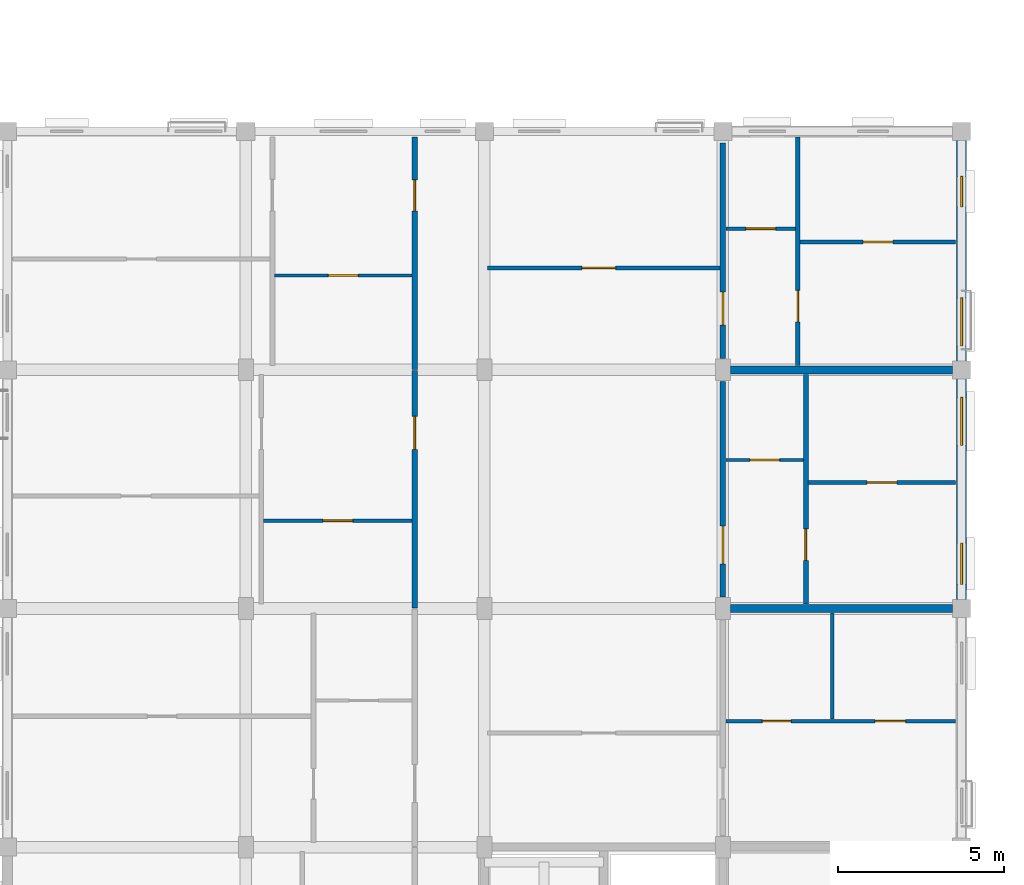
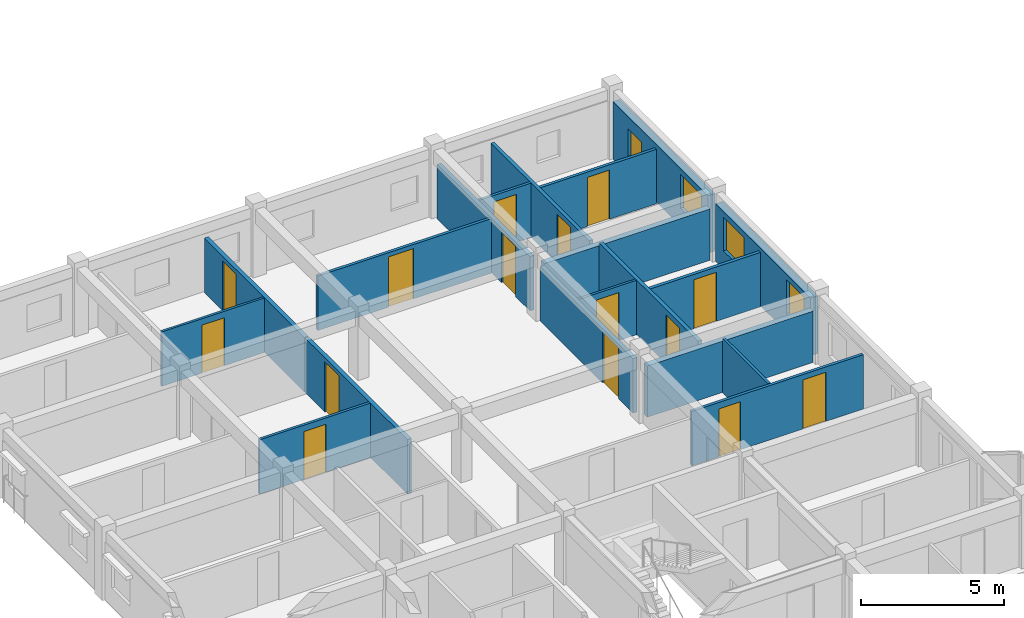
# One storey, part 64 of 79: 19 walls, 15 doors, 4 windows, 19 openings.
"""IFC4 building model written with IfcOpenShell, lengths in metres."""

from ifc_helpers import new_model, si_unit, direction, frame, frame_2d, origin, place, context, subcontext, project, spatial, rectangle, extrude, material, layer, layer_set, type_object, element, fill, save


model = new_model("IFC4")

# Units and contexts
model_context = context("Model", 3, precision=1e-05, world=origin(), true_north=direction((0.0, 1.0)))
body_context = subcontext(model_context, "Body", "Model", "MODEL_VIEW")
ifc_project = project(units=[si_unit("LENGTHUNIT", "METRE"), si_unit("AREAUNIT", "SQUARE_METRE"), si_unit("VOLUMEUNIT", "CUBIC_METRE"), si_unit("PLANEANGLEUNIT", "RADIAN"), si_unit("MASSUNIT", "GRAM", prefix="KILO"), si_unit("THERMODYNAMICTEMPERATUREUNIT", "KELVIN"), si_unit("POWERUNIT", "WATT")], contexts=[model_context])

# Site, building, storey
site_placement = place(None, origin())
site = spatial("IfcSite", under=ifc_project, at=site_placement, CompositionType="ELEMENT")
building_placement = place(site_placement, origin())
building = spatial("IfcBuilding", under=site, at=building_placement, Name="Tavuni Mirador Residences", CompositionType="ELEMENT")
storey_placement = place(building_placement, frame((0.0, 0.0, 13.949951171875)))
storey = spatial("IfcBuildingStorey", under=building, at=storey_placement, Name="L04", CompositionType="ELEMENT", Elevation=13.949951171875)

# Wall, opening, door
ifc_material_1 = material(Name="Precast concrete C40/50", Category="concrete")
ifc_layer_1 = layer(ifc_material_1, 0.1650390625, Name="Precast concrete C40/50", Category="concrete")
ifc_layer_set_1 = layer_set([ifc_layer_1], Name="Precast concrete C40/50")
wall_type_1 = type_object("IfcWallType", Name="WT-CORR165", PredefinedType="PARTITIONING", material=ifc_layer_set_1)
wall_1_placement = place(storey_placement, frame((102.300048828125, 122.419921875, 0.0), z_axis=(0.0, 0.0, 1.0), x_axis=(0.0, 1.0, 0.0)))
wall_1 = element("IfcWall", 1, at=wall_1_placement, inside=storey, type_object=wall_type_1, Name="CORW-BLK-D-L04-0-05", PredefinedType="PARTITIONING", context=body_context, shape_type="SweptSolid", body=[
    extrude(rectangle(XDim=7.16015625, YDim=0.1650390625, at=frame_2d((3.580078125, 0.0))), origin(), (0.0, 0.0, 1.0), 2.324951171875),
])
opening_1_placement = place(wall_1_placement, frame((4.780029296875, 0.0, 0.0)))
opening_1 = element("IfcOpeningElement", 2, at=opening_1_placement, cuts=wall_1, Name="Opening D-03", PredefinedType="OPENING", context=body_context, shape_type="SweptSolid", body=[
    extrude(rectangle(XDim=1.0, YDim=2.14990234375, at=frame_2d((0.5, 1.074951171875))), frame((0.0, 0.092529296875, 0.0), z_axis=(0.0, -1.0, 0.0), x_axis=(1.0, 0.0, 0.0)), (0.0, 0.0, 1.0), 0.18505859375),
])
ifc_material_2 = material(Name="Solid core iroko timber", Category="wood")
door_type_1 = type_object("IfcDoorType", Name="DT-FD60-1000", OperationType="NOTDEFINED", PredefinedType="DOOR", material=ifc_material_2)
door_1_placement = place(opening_1_placement, origin())
door_1 = element("IfcDoor", 3, at=door_1_placement, inside=storey, type_object=door_type_1, Name="DR-2862", OperationType="SINGLE_SWING_LEFT", OverallHeight=2.14990234375, OverallWidth=1.0, PredefinedType="DOOR", context=body_context, shape_type="SweptSolid", body=[
    extrude(rectangle(XDim=1.0, YDim=2.14990234375, at=frame_2d((0.5, 1.074951171875))), frame((0.0, 0.02490234375, 0.0), z_axis=(0.0, -1.0, 0.0), x_axis=(1.0, 0.0, 0.0)), (0.0, 0.0, 1.0), 0.050048828125),
])
fill(opening_1, door_1)

wall_2_placement = place(storey_placement, frame((102.300048828125, 129.6201171875, 0.0), z_axis=(0.0, 0.0, 1.0), x_axis=(0.0, 1.0, 0.0)))
wall_2 = element("IfcWall", 4, at=wall_2_placement, inside=storey, type_object=wall_type_1, Name="CORW-BLK-D-L04-0-06", PredefinedType="PARTITIONING", context=body_context, shape_type="SweptSolid", body=[
    extrude(rectangle(XDim=7.0048828125, YDim=0.1650390625, at=frame_2d((3.50244140625, 0.0))), origin(), (0.0, 0.0, 1.0), 2.324951171875),
])
opening_2_placement = place(wall_2_placement, frame((4.780029296875, 0.0, 0.0)))
opening_2 = element("IfcOpeningElement", 5, at=opening_2_placement, cuts=wall_2, Name="Opening D-19", PredefinedType="OPENING", context=body_context, shape_type="SweptSolid", body=[
    extrude(rectangle(XDim=0.93994140625, YDim=2.1201171875, at=frame_2d((0.469970703125, 1.06005859375))), frame((0.0, 0.092529296875, 0.0), z_axis=(0.0, -1.0, 0.0), x_axis=(1.0, 0.0, 0.0)), (0.0, 0.0, 1.0), 0.18505859375),
])
door_type_2 = type_object("IfcDoorType", Name="DT-FD60-940", OperationType="NOTDEFINED", PredefinedType="DOOR", material=ifc_material_2)
door_2_placement = place(opening_2_placement, origin())
door_2 = element("IfcDoor", 6, at=door_2_placement, inside=storey, type_object=door_type_2, Name="DR-2863", OperationType="SINGLE_SWING_RIGHT", OverallHeight=2.1201171875, OverallWidth=0.93994140625, PredefinedType="DOOR", context=body_context, shape_type="SweptSolid", body=[
    extrude(rectangle(XDim=0.93994140625, YDim=2.1201171875, at=frame_2d((0.469970703125, 1.06005859375))), frame((0.0, 0.02490234375, 0.0), z_axis=(0.0, -1.0, 0.0), x_axis=(1.0, 0.0, 0.0)), (0.0, 0.0, 1.0), 0.050048828125),
])
fill(opening_2, door_2)

wall_3_placement = place(storey_placement, frame((111.60009765625, 122.75, 0.0), z_axis=(0.0, 0.0, 1.0), x_axis=(0.0, 1.0, 0.0)))
wall_3 = element("IfcWall", 7, at=wall_3_placement, inside=storey, type_object=wall_type_1, Name="CORW-BLK-D-L04-1-05", PredefinedType="PARTITIONING", context=body_context, shape_type="SweptSolid", body=[
    extrude(rectangle(XDim=6.5, YDim=0.1650390625, at=frame_2d((3.25, 0.0))), origin(), (0.0, 0.0, 1.0), 2.324951171875),
])
opening_3_placement = place(wall_3_placement, frame((1.0, 0.0, 0.0)))
opening_3 = element("IfcOpeningElement", 8, at=opening_3_placement, cuts=wall_3, Name="Opening D-20", PredefinedType="OPENING", context=body_context, shape_type="SweptSolid", body=[
    extrude(rectangle(XDim=1.139892578125, YDim=2.179931640625, at=frame_2d((0.56982421875, 1.08984375))), frame((0.0, 0.092529296875, 0.0), z_axis=(0.0, -1.0, 0.0), x_axis=(1.0, 0.0, 0.0)), (0.0, 0.0, 1.0), 0.18505859375),
])
door_type_3 = type_object("IfcDoorType", Name="DT-FD60-1140", OperationType="NOTDEFINED", PredefinedType="DOOR", material=ifc_material_2)
door_3_placement = place(opening_3_placement, origin())
door_3 = element("IfcDoor", 9, at=door_3_placement, inside=storey, type_object=door_type_3, Name="DR-2867", OperationType="SINGLE_SWING_RIGHT", OverallHeight=2.179931640625, OverallWidth=1.139892578125, PredefinedType="DOOR", context=body_context, shape_type="SweptSolid", body=[
    extrude(rectangle(XDim=1.139892578125, YDim=2.179931640625, at=frame_2d((0.56982421875, 1.08984375))), frame((0.0, 0.02490234375, 0.0), z_axis=(0.0, -1.0, 0.0), x_axis=(1.0, 0.0, 0.0)), (0.0, 0.0, 1.0), 0.050048828125),
])
fill(opening_3, door_3)

wall_4_placement = place(storey_placement, frame((111.60009765625, 129.949951171875, 0.0), z_axis=(0.0, 0.0, 1.0), x_axis=(0.0, 1.0, 0.0)))
wall_4 = element("IfcWall", 10, at=wall_4_placement, inside=storey, type_object=wall_type_1, Name="CORW-BLK-D-L04-1-06", PredefinedType="PARTITIONING", context=body_context, shape_type="SweptSolid", body=[
    extrude(rectangle(XDim=6.5, YDim=0.1650390625, at=frame_2d((3.25, 0.0))), origin(), (0.0, 0.0, 1.0), 2.324951171875),
])
opening_4_placement = place(wall_4_placement, frame((1.0, 0.0, 0.0)))
opening_4 = element("IfcOpeningElement", 11, at=opening_4_placement, cuts=wall_4, Name="Opening D-03", PredefinedType="OPENING", context=body_context, shape_type="SweptSolid", body=[
    extrude(rectangle(XDim=1.0, YDim=2.14990234375, at=frame_2d((0.5, 1.074951171875))), frame((0.0, 0.092529296875, 0.0), z_axis=(0.0, -1.0, 0.0), x_axis=(1.0, 0.0, 0.0)), (0.0, 0.0, 1.0), 0.18505859375),
])
door_4_placement = place(opening_4_placement, origin())
door_4 = element("IfcDoor", 12, at=door_4_placement, inside=storey, type_object=door_type_1, Name="DR-2868", OperationType="SINGLE_SWING_LEFT", OverallHeight=2.14990234375, OverallWidth=1.0, PredefinedType="DOOR", context=body_context, shape_type="SweptSolid", body=[
    extrude(rectangle(XDim=1.0, YDim=2.14990234375, at=frame_2d((0.5, 1.074951171875))), frame((0.0, 0.02490234375, 0.0), z_axis=(0.0, -1.0, 0.0), x_axis=(1.0, 0.0, 0.0)), (0.0, 0.0, 1.0), 0.050048828125),
])
fill(opening_4, door_4)

# Wall, openings, windows
ifc_material_3 = material(Name="Sgraffito lime-rendered precast concrete C40/50", Category="concrete")
ifc_layer_2 = layer(ifc_material_3, 0.2900390625, Name="Sgraffito lime-rendered precast concrete C40/50", Category="concrete")
ifc_layer_set_2 = layer_set([ifc_layer_2], Name="Sgraffito lime-rendered precast concrete C40/50")
wall_type_2 = type_object("IfcWallType", Name="WT-EXT-PC290", PredefinedType="SOLIDWALL", material=ifc_layer_set_2)
wall_5_placement = place(storey_placement, frame((118.800048828125, 129.875, 0.0), z_axis=(0.0, 0.0, 1.0), x_axis=(0.0, 1.0, 0.0)))
wall_5 = element("IfcWall", 13, at=wall_5_placement, inside=storey, type_object=wall_type_2, Name="EW-BLK-D-L04-E06", PredefinedType="SOLIDWALL", context=body_context, shape_type="SweptSolid", body=[
    extrude(rectangle(XDim=6.64990234375, YDim=0.2900390625, at=frame_2d((3.324951171875, 0.0))), origin(), (0.0, 0.0, 1.0), 2.4599609375),
])
opening_5_placement = place(wall_5_placement, frame((0.449951171875, 0.0, 0.780029296875)))
opening_5 = element("IfcOpeningElement", 14, at=opening_5_placement, cuts=wall_5, Name="Opening WN-30", PredefinedType="OPENING", context=body_context, shape_type="SweptSolid", body=[
    extrude(rectangle(XDim=1.449951171875, YDim=1.43994140625, at=frame_2d((0.72509765625, 0.719970703125))), frame((0.0, 0.155029296875, 0.0), z_axis=(0.0, -1.0, 0.0), x_axis=(1.0, 0.0, 0.0)), (0.0, 0.0, 1.0), 0.31005859375),
])
opening_6_placement = place(wall_5_placement, frame((4.64990234375, 0.0, 0.780029296875)))
opening_6 = element("IfcOpeningElement", 15, at=opening_6_placement, cuts=wall_5, Name="Opening WN-02", PredefinedType="OPENING", context=body_context, shape_type="SweptSolid", body=[
    extrude(rectangle(XDim=0.919921875, YDim=1.14990234375, at=frame_2d((0.4599609375, 0.574951171875))), frame((0.0, 0.155029296875, 0.0), z_axis=(0.0, -1.0, 0.0), x_axis=(1.0, 0.0, 0.0)), (0.0, 0.0, 1.0), 0.31005859375),
])
ifc_material_4 = material(Name="Laminated solar-control glass", Category="glass")
window_type_1 = type_object("IfcWindowType", Name="WNT-02", PartitioningType="SINGLE_PANEL", PredefinedType="WINDOW", material=ifc_material_4)
window_1_placement = place(opening_6_placement, origin())
window_1 = element("IfcWindow", 16, at=window_1_placement, inside=storey, type_object=window_type_1, Name="WIN-1586", OverallHeight=1.14990234375, OverallWidth=0.919921875, PartitioningType="SINGLE_PANEL", PredefinedType="WINDOW", context=body_context, shape_type="SweptSolid", body=[
    extrude(rectangle(XDim=0.919921875, YDim=1.14990234375, at=frame_2d((0.4599609375, 0.574951171875))), frame((0.0, 0.030029296875, 0.0), z_axis=(0.0, -1.0, 0.0), x_axis=(1.0, 0.0, 0.0)), (0.0, 0.0, 1.0), 0.06005859375),
])
fill(opening_6, window_1)
window_type_2 = type_object("IfcWindowType", Name="WNT-30", PartitioningType="SINGLE_PANEL", PredefinedType="WINDOW", material=ifc_material_4)
window_2_placement = place(opening_5_placement, origin())
window_2 = element("IfcWindow", 17, at=window_2_placement, inside=storey, type_object=window_type_2, Name="WIN-1585", OverallHeight=1.43994140625, OverallWidth=1.449951171875, PartitioningType="SINGLE_PANEL", PredefinedType="WINDOW", context=body_context, shape_type="SweptSolid", body=[
    extrude(rectangle(XDim=1.449951171875, YDim=1.43994140625, at=frame_2d((0.72509765625, 0.719970703125))), frame((0.0, 0.030029296875, 0.0), z_axis=(0.0, -1.0, 0.0), x_axis=(1.0, 0.0, 0.0)), (0.0, 0.0, 1.0), 0.06005859375),
])
fill(opening_5, window_2)

ifc_layer_3 = layer(ifc_material_3, 0.304931640625, Name="Sgraffito lime-rendered precast concrete C40/50", Category="concrete")
ifc_layer_set_3 = layer_set([ifc_layer_3], Name="Sgraffito lime-rendered precast concrete C40/50")
wall_type_3 = type_object("IfcWallType", Name="WT-EXT-PC305", PredefinedType="SOLIDWALL", material=ifc_layer_set_3)
wall_6_placement = place(storey_placement, frame((118.800048828125, 122.675048828125, 0.0), z_axis=(0.0, 0.0, 1.0), x_axis=(0.0, 1.0, 0.0)))
wall_6 = element("IfcWall", 18, at=wall_6_placement, inside=storey, type_object=wall_type_3, Name="EW-BLK-D-L04-E05", PredefinedType="SOLIDWALL", context=body_context, shape_type="SweptSolid", body=[
    extrude(rectangle(XDim=6.64990234375, YDim=0.304931640625, at=frame_2d((3.324951171875, 0.0))), origin(), (0.0, 0.0, 1.0), 2.4599609375),
])
opening_7_placement = place(wall_6_placement, frame((0.449951171875, 0.0, 0.780029296875)))
opening_7 = element("IfcOpeningElement", 19, at=opening_7_placement, cuts=wall_6, Name="Opening WN-28", PredefinedType="OPENING", context=body_context, shape_type="SweptSolid", body=[
    extrude(rectangle(XDim=1.25, YDim=1.43994140625, at=frame_2d((0.625, 0.719970703125))), frame((0.0, 0.16259765625, 0.0), z_axis=(0.0, -1.0, 0.0), x_axis=(1.0, 0.0, 0.0)), (0.0, 0.0, 1.0), 0.324951171875),
])
opening_8_placement = place(wall_6_placement, frame((4.64990234375, 0.0, 0.780029296875)))
opening_8 = element("IfcOpeningElement", 20, at=opening_8_placement, cuts=wall_6, Name="Opening WN-30", PredefinedType="OPENING", context=body_context, shape_type="SweptSolid", body=[
    extrude(rectangle(XDim=1.449951171875, YDim=1.43994140625, at=frame_2d((0.72509765625, 0.719970703125))), frame((0.0, 0.16259765625, 0.0), z_axis=(0.0, -1.0, 0.0), x_axis=(1.0, 0.0, 0.0)), (0.0, 0.0, 1.0), 0.324951171875),
])
window_type_3 = type_object("IfcWindowType", Name="WNT-28", PartitioningType="SINGLE_PANEL", PredefinedType="WINDOW", material=ifc_material_4)
window_3_placement = place(opening_7_placement, origin())
window_3 = element("IfcWindow", 21, at=window_3_placement, inside=storey, type_object=window_type_3, Name="WIN-1583", OverallHeight=1.43994140625, OverallWidth=1.25, PartitioningType="SINGLE_PANEL", PredefinedType="WINDOW", context=body_context, shape_type="SweptSolid", body=[
    extrude(rectangle(XDim=1.25, YDim=1.43994140625, at=frame_2d((0.625, 0.719970703125))), frame((0.0, 0.030029296875, 0.0), z_axis=(0.0, -1.0, 0.0), x_axis=(1.0, 0.0, 0.0)), (0.0, 0.0, 1.0), 0.06005859375),
])
fill(opening_7, window_3)
window_4_placement = place(opening_8_placement, origin())
window_4 = element("IfcWindow", 22, at=window_4_placement, inside=storey, type_object=window_type_2, Name="WIN-1584", OverallHeight=1.43994140625, OverallWidth=1.449951171875, PartitioningType="SINGLE_PANEL", PredefinedType="WINDOW", context=body_context, shape_type="SweptSolid", body=[
    extrude(rectangle(XDim=1.449951171875, YDim=1.43994140625, at=frame_2d((0.72509765625, 0.719970703125))), frame((0.0, 0.030029296875, 0.0), z_axis=(0.0, -1.0, 0.0), x_axis=(1.0, 0.0, 0.0)), (0.0, 0.0, 1.0), 0.06005859375),
])
fill(opening_8, window_4)

# Wall, opening, door
ifc_material_5 = material(Name="Acoustic gypsum and concrete block partition", Category="concrete")
ifc_layer_4 = layer(ifc_material_5, 0.094970703125, Name="Acoustic gypsum and concrete block partition", Category="concrete")
ifc_layer_set_4 = layer_set([ifc_layer_4], Name="Acoustic gypsum and concrete block partition")
wall_type_4 = type_object("IfcWallType", Name="WT-PART095", PredefinedType="PARTITIONING", material=ifc_layer_set_4)
wall_7_placement = place(storey_placement, frame((111.68994140625, 126.8798828125, 0.0), z_axis=(0.0, 0.0, 1.0), x_axis=(1.0, 0.0, 0.0)))
wall_7 = element("IfcWall", 23, at=wall_7_placement, inside=storey, type_object=wall_type_4, Name="PW-BLK-D-L04-E05-IN1", PredefinedType="PARTITIONING", context=body_context, shape_type="SweptSolid", body=[
    extrude(rectangle(XDim=2.340087890625, YDim=0.094970703125, at=frame_2d((1.169921875, 0.0))), origin(), (0.0, 0.0, 1.0), 2.324951171875),
])
opening_9_placement = place(wall_7_placement, frame((0.719970703125, 0.0, 0.0)))
opening_9 = element("IfcOpeningElement", 24, at=opening_9_placement, cuts=wall_7, Name="Opening D-09", PredefinedType="OPENING", context=body_context, shape_type="SweptSolid", body=[
    extrude(rectangle(XDim=0.89990234375, YDim=2.050048828125, at=frame_2d((0.449951171875, 1.02490234375))), frame((0.0, 0.0576171875, 0.0), z_axis=(0.0, -1.0, 0.0), x_axis=(1.0, 0.0, 0.0)), (0.0, 0.0, 1.0), 0.114990234375),
])
door_type_4 = type_object("IfcDoorType", Name="DT-WC900", OperationType="NOTDEFINED", PredefinedType="DOOR", material=ifc_material_2)
door_5_placement = place(opening_9_placement, origin())
door_5 = element("IfcDoor", 25, at=door_5_placement, inside=storey, type_object=door_type_4, Name="DR-4462", OperationType="SINGLE_SWING_RIGHT", OverallHeight=2.050048828125, OverallWidth=0.89990234375, PredefinedType="DOOR", context=body_context, shape_type="SweptSolid", body=[
    extrude(rectangle(XDim=0.89990234375, YDim=2.050048828125, at=frame_2d((0.449951171875, 1.02490234375))), frame((0.0, 0.02490234375, 0.0), z_axis=(0.0, -1.0, 0.0), x_axis=(1.0, 0.0, 0.0)), (0.0, 0.0, 1.0), 0.050048828125),
])
fill(opening_9, door_5)

wall_8_placement = place(storey_placement, frame((98.070068359375, 132.449951171875, 0.0), z_axis=(0.0, 0.0, 1.0), x_axis=(1.0, 0.0, 0.0)))
wall_8 = element("IfcWall", 26, at=wall_8_placement, inside=storey, type_object=wall_type_4, Name="PW-BLK-D-L04-W06-IN1", PredefinedType="PARTITIONING", context=body_context, shape_type="SweptSolid", body=[
    extrude(rectangle(XDim=4.139892578125, YDim=0.094970703125, at=frame_2d((2.06982421875, 0.0))), origin(), (0.0, 0.0, 1.0), 2.324951171875),
])
opening_10_placement = place(wall_8_placement, frame((1.6201171875, 0.0, 0.0)))
opening_10 = element("IfcOpeningElement", 27, at=opening_10_placement, cuts=wall_8, Name="Opening D-09", PredefinedType="OPENING", context=body_context, shape_type="SweptSolid", body=[
    extrude(rectangle(XDim=0.89990234375, YDim=2.050048828125, at=frame_2d((0.449951171875, 1.02490234375))), frame((0.0, 0.0576171875, 0.0), z_axis=(0.0, -1.0, 0.0), x_axis=(1.0, 0.0, 0.0)), (0.0, 0.0, 1.0), 0.114990234375),
])
door_6_placement = place(opening_10_placement, origin())
door_6 = element("IfcDoor", 28, at=door_6_placement, inside=storey, type_object=door_type_4, Name="DR-4466", OperationType="SINGLE_SWING_RIGHT", OverallHeight=2.050048828125, OverallWidth=0.89990234375, PredefinedType="DOOR", context=body_context, shape_type="SweptSolid", body=[
    extrude(rectangle(XDim=0.89990234375, YDim=2.050048828125, at=frame_2d((0.449951171875, 1.02490234375))), frame((0.0, 0.02490234375, 0.0), z_axis=(0.0, -1.0, 0.0), x_axis=(1.0, 0.0, 0.0)), (0.0, 0.0, 1.0), 0.050048828125),
])
fill(opening_10, door_6)

# Wall
ifc_layer_5 = layer(ifc_material_5, 0.10498046875, Name="Acoustic gypsum and concrete block partition", Category="concrete")
ifc_layer_set_5 = layer_set([ifc_layer_5], Name="Acoustic gypsum and concrete block partition")
wall_type_5 = type_object("IfcWallType", Name="WT-PART105", PredefinedType="PARTITIONING", material=ifc_layer_set_5)
wall_9_placement = place(storey_placement, frame((114.89990234375, 119.070068359375, 0.0), z_axis=(0.0, 0.0, 1.0), x_axis=(0.0, 1.0, 0.0)))
element("IfcWall", 29, at=wall_9_placement, inside=storey, type_object=wall_type_5, Name="PW-BLK-D-L04-PF04-V", PredefinedType="PARTITIONING", context=body_context, shape_type="SweptSolid", body=[
    extrude(rectangle(XDim=3.18994140625, YDim=0.10498046875, at=frame_2d((1.594970703125, 0.0))), origin(), (0.0, 0.0, 1.0), 2.324951171875),
])

# Wall, opening, door
wall_10_placement = place(storey_placement, frame((97.739990234375, 125.050048828125, 0.0), z_axis=(0.0, 0.0, 1.0), x_axis=(1.0, 0.0, 0.0)))
wall_10 = element("IfcWall", 30, at=wall_10_placement, inside=storey, type_object=wall_type_5, Name="PW-BLK-D-L04-W05-IN1", PredefinedType="PARTITIONING", context=body_context, shape_type="SweptSolid", body=[
    extrude(rectangle(XDim=4.469970703125, YDim=0.10498046875, at=frame_2d((2.23486328125, 0.0))), origin(), (0.0, 0.0, 1.0), 2.324951171875),
])
opening_11_placement = place(wall_10_placement, frame((1.784912109375, 0.0, 0.0)))
opening_11 = element("IfcOpeningElement", 31, at=opening_11_placement, cuts=wall_10, Name="Opening D-09", PredefinedType="OPENING", context=body_context, shape_type="SweptSolid", body=[
    extrude(rectangle(XDim=0.89990234375, YDim=2.050048828125, at=frame_2d((0.449951171875, 1.02490234375))), frame((0.0, 0.0625, 0.0), z_axis=(0.0, -1.0, 0.0), x_axis=(1.0, 0.0, 0.0)), (0.0, 0.0, 1.0), 0.125),
])
door_7_placement = place(opening_11_placement, origin())
door_7 = element("IfcDoor", 32, at=door_7_placement, inside=storey, type_object=door_type_4, Name="DR-4459", OperationType="SINGLE_SWING_RIGHT", OverallHeight=2.050048828125, OverallWidth=0.89990234375, PredefinedType="DOOR", context=body_context, shape_type="SweptSolid", body=[
    extrude(rectangle(XDim=0.89990234375, YDim=2.050048828125, at=frame_2d((0.449951171875, 1.02490234375))), frame((0.0, 0.02490234375, 0.0), z_axis=(0.0, -1.0, 0.0), x_axis=(1.0, 0.0, 0.0)), (0.0, 0.0, 1.0), 0.050048828125),
])
fill(opening_11, door_7)

wall_11_placement = place(storey_placement, frame((111.68994140625, 133.860107421875, 0.0), z_axis=(0.0, 0.0, 1.0), x_axis=(1.0, 0.0, 0.0)))
wall_11 = element("IfcWall", 33, at=wall_11_placement, inside=storey, type_object=wall_type_5, Name="PW-BLK-D-L04-E06-IN1", PredefinedType="PARTITIONING", context=body_context, shape_type="SweptSolid", body=[
    extrude(rectangle(XDim=2.10009765625, YDim=0.10498046875, at=frame_2d((1.050048828125, 0.0))), origin(), (0.0, 0.0, 1.0), 2.324951171875),
])
opening_12_placement = place(wall_11_placement, frame((0.60009765625, 0.0, 0.0)))
opening_12 = element("IfcOpeningElement", 34, at=opening_12_placement, cuts=wall_11, Name="Opening D-09", PredefinedType="OPENING", context=body_context, shape_type="SweptSolid", body=[
    extrude(rectangle(XDim=0.89990234375, YDim=2.050048828125, at=frame_2d((0.449951171875, 1.02490234375))), frame((0.0, 0.0625, 0.0), z_axis=(0.0, -1.0, 0.0), x_axis=(1.0, 0.0, 0.0)), (0.0, 0.0, 1.0), 0.125),
])
door_8_placement = place(opening_12_placement, origin())
door_8 = element("IfcDoor", 35, at=door_8_placement, inside=storey, type_object=door_type_4, Name="DR-4469", OperationType="SINGLE_SWING_RIGHT", OverallHeight=2.050048828125, OverallWidth=0.89990234375, PredefinedType="DOOR", context=body_context, shape_type="SweptSolid", body=[
    extrude(rectangle(XDim=0.89990234375, YDim=2.050048828125, at=frame_2d((0.449951171875, 1.02490234375))), frame((0.0, 0.02490234375, 0.0), z_axis=(0.0, -1.0, 0.0), x_axis=(1.0, 0.0, 0.0)), (0.0, 0.0, 1.0), 0.050048828125),
])
fill(opening_12, door_8)

# Wall, openings, doors
ifc_layer_6 = layer(ifc_material_5, 0.114990234375, Name="Acoustic gypsum and concrete block partition", Category="concrete")
ifc_layer_set_6 = layer_set([ifc_layer_6], Name="Acoustic gypsum and concrete block partition")
wall_type_6 = type_object("IfcWallType", Name="WT-PART115", PredefinedType="PARTITIONING", material=ifc_layer_set_6)
wall_12_placement = place(storey_placement, frame((111.68994140625, 119.0, 0.0), z_axis=(0.0, 0.0, 1.0), x_axis=(1.0, 0.0, 0.0)))
wall_12 = element("IfcWall", 36, at=wall_12_placement, inside=storey, type_object=wall_type_6, Name="PW-BLK-D-L04-PF04-H", PredefinedType="PARTITIONING", context=body_context, shape_type="SweptSolid", body=[
    extrude(rectangle(XDim=6.93505859375, YDim=0.114990234375, at=frame_2d((3.467529296875, 0.0))), origin(), (0.0, 0.0, 1.0), 2.324951171875),
])
opening_13_placement = place(wall_12_placement, frame((1.10009765625, 0.0, 0.0)))
opening_13 = element("IfcOpeningElement", 37, at=opening_13_placement, cuts=wall_12, Name="Opening D-10", PredefinedType="OPENING", context=body_context, shape_type="SweptSolid", body=[
    extrude(rectangle(XDim=0.8701171875, YDim=2.050048828125, at=frame_2d((0.43505859375, 1.02490234375))), frame((0.0, 0.0673828125, 0.0), z_axis=(0.0, -1.0, 0.0), x_axis=(1.0, 0.0, 0.0)), (0.0, 0.0, 1.0), 0.135009765625),
])
opening_14_placement = place(wall_12_placement, frame((4.5, 0.0, 0.0)))
opening_14 = element("IfcOpeningElement", 38, at=opening_14_placement, cuts=wall_12, Name="Opening D-06", PredefinedType="OPENING", context=body_context, shape_type="SweptSolid", body=[
    extrude(rectangle(XDim=0.919921875, YDim=2.10009765625, at=frame_2d((0.4599609375, 1.050048828125))), frame((0.0, 0.0673828125, 0.0), z_axis=(0.0, -1.0, 0.0), x_axis=(1.0, 0.0, 0.0)), (0.0, 0.0, 1.0), 0.135009765625),
])
door_type_5 = type_object("IfcDoorType", Name="DT-INT920", OperationType="NOTDEFINED", PredefinedType="DOOR", material=ifc_material_2)
door_9_placement = place(opening_14_placement, origin())
door_9 = element("IfcDoor", 39, at=door_9_placement, inside=storey, type_object=door_type_5, Name="DR-4457", OperationType="SINGLE_SWING_RIGHT", OverallHeight=2.10009765625, OverallWidth=0.919921875, PredefinedType="DOOR", context=body_context, shape_type="SweptSolid", body=[
    extrude(rectangle(XDim=0.919921875, YDim=2.10009765625, at=frame_2d((0.4599609375, 1.050048828125))), frame((0.0, 0.02490234375, 0.0), z_axis=(0.0, -1.0, 0.0), x_axis=(1.0, 0.0, 0.0)), (0.0, 0.0, 1.0), 0.050048828125),
])
fill(opening_14, door_9)
door_type_6 = type_object("IfcDoorType", Name="DT-WC870", OperationType="NOTDEFINED", PredefinedType="DOOR", material=ifc_material_2)
door_10_placement = place(opening_13_placement, origin())
door_10 = element("IfcDoor", 40, at=door_10_placement, inside=storey, type_object=door_type_6, Name="DR-4456", OperationType="SINGLE_SWING_LEFT", OverallHeight=2.050048828125, OverallWidth=0.8701171875, PredefinedType="DOOR", context=body_context, shape_type="SweptSolid", body=[
    extrude(rectangle(XDim=0.8701171875, YDim=2.050048828125, at=frame_2d((0.43505859375, 1.02490234375))), frame((0.0, 0.02490234375, 0.0), z_axis=(0.0, -1.0, 0.0), x_axis=(1.0, 0.0, 0.0)), (0.0, 0.0, 1.0), 0.050048828125),
])
fill(opening_13, door_10)

# Wall, opening, door
wall_13_placement = place(storey_placement, frame((104.489990234375, 132.679931640625, 0.0), z_axis=(0.0, 0.0, 1.0), x_axis=(1.0, 0.0, 0.0)))
wall_13 = element("IfcWall", 41, at=wall_13_placement, inside=storey, type_object=wall_type_6, Name="PW-SPN-BLK-D-L04-06", PredefinedType="PARTITIONING", context=body_context, shape_type="SweptSolid", body=[
    extrude(rectangle(XDim=7.02001953125, YDim=0.114990234375, at=frame_2d((3.510009765625, 0.0))), origin(), (0.0, 0.0, 1.0), 2.324951171875),
])
opening_15_placement = place(wall_13_placement, frame((2.85009765625, 0.0, 0.0)))
opening_15 = element("IfcOpeningElement", 42, at=opening_15_placement, cuts=wall_13, Name="Opening D-13", PredefinedType="OPENING", context=body_context, shape_type="SweptSolid", body=[
    extrude(rectangle(XDim=1.02001953125, YDim=2.14990234375, at=frame_2d((0.510009765625, 1.074951171875))), frame((0.0, 0.0673828125, 0.0), z_axis=(0.0, -1.0, 0.0), x_axis=(1.0, 0.0, 0.0)), (0.0, 0.0, 1.0), 0.135009765625),
])
door_type_7 = type_object("IfcDoorType", Name="DT-MTG1020", OperationType="NOTDEFINED", PredefinedType="DOOR", material=ifc_material_2)
door_11_placement = place(opening_15_placement, origin())
door_11 = element("IfcDoor", 43, at=door_11_placement, inside=storey, type_object=door_type_7, Name="DR-4464", OperationType="SINGLE_SWING_LEFT", OverallHeight=2.14990234375, OverallWidth=1.02001953125, PredefinedType="DOOR", context=body_context, shape_type="SweptSolid", body=[
    extrude(rectangle(XDim=1.02001953125, YDim=2.14990234375, at=frame_2d((0.510009765625, 1.074951171875))), frame((0.0, 0.02490234375, 0.0), z_axis=(0.0, -1.0, 0.0), x_axis=(1.0, 0.0, 0.0)), (0.0, 0.0, 1.0), 0.050048828125),
])
fill(opening_15, door_11)

wall_14_placement = place(storey_placement, frame((113.929931640625, 133.4599609375, 0.0), z_axis=(0.0, 0.0, 1.0), x_axis=(1.0, 0.0, 0.0)))
wall_14 = element("IfcWall", 44, at=wall_14_placement, inside=storey, type_object=wall_type_6, Name="PW-BLK-D-L04-E06-OUT", PredefinedType="PARTITIONING", context=body_context, shape_type="SweptSolid", body=[
    extrude(rectangle(XDim=4.695068359375, YDim=0.114990234375, at=frame_2d((2.34765625, 0.0))), origin(), (0.0, 0.0, 1.0), 2.324951171875),
])
opening_16_placement = place(wall_14_placement, frame((1.8974609375, 0.0, 0.0)))
opening_16 = element("IfcOpeningElement", 45, at=opening_16_placement, cuts=wall_14, Name="Opening D-07", PredefinedType="OPENING", context=body_context, shape_type="SweptSolid", body=[
    extrude(rectangle(XDim=0.89990234375, YDim=2.10009765625, at=frame_2d((0.449951171875, 1.050048828125))), frame((0.0, 0.0673828125, 0.0), z_axis=(0.0, -1.0, 0.0), x_axis=(1.0, 0.0, 0.0)), (0.0, 0.0, 1.0), 0.135009765625),
])
door_type_8 = type_object("IfcDoorType", Name="DT-BED900", OperationType="NOTDEFINED", PredefinedType="DOOR", material=ifc_material_2)
door_12_placement = place(opening_16_placement, origin())
door_12 = element("IfcDoor", 46, at=door_12_placement, inside=storey, type_object=door_type_8, Name="DR-4468", OperationType="SINGLE_SWING_LEFT", OverallHeight=2.10009765625, OverallWidth=0.89990234375, PredefinedType="DOOR", context=body_context, shape_type="SweptSolid", body=[
    extrude(rectangle(XDim=0.89990234375, YDim=2.10009765625, at=frame_2d((0.449951171875, 1.050048828125))), frame((0.0, 0.02490234375, 0.0), z_axis=(0.0, -1.0, 0.0), x_axis=(1.0, 0.0, 0.0)), (0.0, 0.0, 1.0), 0.050048828125),
])
fill(opening_16, door_12)

ifc_layer_7 = layer(ifc_material_5, 0.125, Name="Acoustic gypsum and concrete block partition", Category="concrete")
ifc_layer_set_7 = layer_set([ifc_layer_7], Name="Acoustic gypsum and concrete block partition")
wall_type_7 = type_object("IfcWallType", Name="WT-PART125", PredefinedType="PARTITIONING", material=ifc_layer_set_7)
wall_15_placement = place(storey_placement, frame((114.169921875, 126.199951171875, 0.0), z_axis=(0.0, 0.0, 1.0), x_axis=(1.0, 0.0, 0.0)))
wall_15 = element("IfcWall", 47, at=wall_15_placement, inside=storey, type_object=wall_type_7, Name="PW-BLK-D-L04-E05-OUT", PredefinedType="PARTITIONING", context=body_context, shape_type="SweptSolid", body=[
    extrude(rectangle(XDim=4.455078125, YDim=0.125, at=frame_2d((2.2275390625, 0.0))), origin(), (0.0, 0.0, 1.0), 2.324951171875),
])
opening_17_placement = place(wall_15_placement, frame((1.777587890625, 0.0, 0.0)))
opening_17 = element("IfcOpeningElement", 48, at=opening_17_placement, cuts=wall_15, Name="Opening D-07", PredefinedType="OPENING", context=body_context, shape_type="SweptSolid", body=[
    extrude(rectangle(XDim=0.89990234375, YDim=2.10009765625, at=frame_2d((0.449951171875, 1.050048828125))), frame((0.0, 0.072509765625, 0.0), z_axis=(0.0, -1.0, 0.0), x_axis=(1.0, 0.0, 0.0)), (0.0, 0.0, 1.0), 0.14501953125),
])
door_13_placement = place(opening_17_placement, origin())
door_13 = element("IfcDoor", 49, at=door_13_placement, inside=storey, type_object=door_type_8, Name="DR-4461", OperationType="SINGLE_SWING_LEFT", OverallHeight=2.10009765625, OverallWidth=0.89990234375, PredefinedType="DOOR", context=body_context, shape_type="SweptSolid", body=[
    extrude(rectangle(XDim=0.89990234375, YDim=2.10009765625, at=frame_2d((0.449951171875, 1.050048828125))), frame((0.0, 0.02490234375, 0.0), z_axis=(0.0, -1.0, 0.0), x_axis=(1.0, 0.0, 0.0)), (0.0, 0.0, 1.0), 0.050048828125),
])
fill(opening_17, door_13)

ifc_layer_8 = layer(ifc_material_5, 0.139892578125, Name="Acoustic gypsum and concrete block partition", Category="concrete")
ifc_layer_set_8 = layer_set([ifc_layer_8], Name="Acoustic gypsum and concrete block partition")
wall_type_8 = type_object("IfcWallType", Name="WT-PART140", PredefinedType="PARTITIONING", material=ifc_layer_set_8)
wall_16_placement = place(storey_placement, frame((113.860107421875, 129.739990234375, 0.0), z_axis=(0.0, 0.0, 1.0), x_axis=(0.0, 1.0, 0.0)))
wall_16 = element("IfcWall", 50, at=wall_16_placement, inside=storey, type_object=wall_type_8, Name="PW-BLK-D-L04-E06-MID", PredefinedType="PARTITIONING", context=body_context, shape_type="SweptSolid", body=[
    extrude(rectangle(XDim=6.885009765625, YDim=0.139892578125, at=frame_2d((3.4423828125, 0.0))), origin(), (0.0, 0.0, 1.0), 2.324951171875),
])
opening_18_placement = place(wall_16_placement, frame((1.31005859375, 0.0, 0.0)))
opening_18 = element("IfcOpeningElement", 51, at=opening_18_placement, cuts=wall_16, Name="Opening D-05", PredefinedType="OPENING", context=body_context, shape_type="SweptSolid", body=[
    extrude(rectangle(XDim=0.949951171875, YDim=2.10009765625, at=frame_2d((0.47509765625, 1.050048828125))), frame((0.0, 0.080078125, 0.0), z_axis=(0.0, -1.0, 0.0), x_axis=(1.0, 0.0, 0.0)), (0.0, 0.0, 1.0), 0.159912109375),
])
door_type_9 = type_object("IfcDoorType", Name="DT-INT950", OperationType="NOTDEFINED", PredefinedType="DOOR", material=ifc_material_2)
door_14_placement = place(opening_18_placement, origin())
door_14 = element("IfcDoor", 52, at=door_14_placement, inside=storey, type_object=door_type_9, Name="DR-4470", OperationType="SINGLE_SWING_LEFT", OverallHeight=2.10009765625, OverallWidth=0.949951171875, PredefinedType="DOOR", context=body_context, shape_type="SweptSolid", body=[
    extrude(rectangle(XDim=0.949951171875, YDim=2.10009765625, at=frame_2d((0.47509765625, 1.050048828125))), frame((0.0, 0.02490234375, 0.0), z_axis=(0.0, -1.0, 0.0), x_axis=(1.0, 0.0, 0.0)), (0.0, 0.0, 1.0), 0.050048828125),
])
fill(opening_18, door_14)

ifc_layer_9 = layer(ifc_material_5, 0.14990234375, Name="Acoustic gypsum and concrete block partition", Category="concrete")
ifc_layer_set_9 = layer_set([ifc_layer_9], Name="Acoustic gypsum and concrete block partition")
wall_type_9 = type_object("IfcWallType", Name="WT-PART150", PredefinedType="PARTITIONING", material=ifc_layer_set_9)
wall_17_placement = place(storey_placement, frame((114.10009765625, 122.5400390625, 0.0), z_axis=(0.0, 0.0, 1.0), x_axis=(0.0, 1.0, 0.0)))
wall_17 = element("IfcWall", 53, at=wall_17_placement, inside=storey, type_object=wall_type_9, Name="PW-BLK-D-L04-E05-MID", PredefinedType="PARTITIONING", context=body_context, shape_type="SweptSolid", body=[
    extrude(rectangle(XDim=6.919921875, YDim=0.14990234375, at=frame_2d((3.4599609375, 0.0))), origin(), (0.0, 0.0, 1.0), 2.324951171875),
])
opening_19_placement = place(wall_17_placement, frame((1.31005859375, 0.0, 0.0)))
opening_19 = element("IfcOpeningElement", 54, at=opening_19_placement, cuts=wall_17, Name="Opening D-05", PredefinedType="OPENING", context=body_context, shape_type="SweptSolid", body=[
    extrude(rectangle(XDim=0.949951171875, YDim=2.10009765625, at=frame_2d((0.47509765625, 1.050048828125))), frame((0.0, 0.0849609375, 0.0), z_axis=(0.0, -1.0, 0.0), x_axis=(1.0, 0.0, 0.0)), (0.0, 0.0, 1.0), 0.169921875),
])
door_15_placement = place(opening_19_placement, origin())
door_15 = element("IfcDoor", 55, at=door_15_placement, inside=storey, type_object=door_type_9, Name="DR-4463", OperationType="SINGLE_SWING_LEFT", OverallHeight=2.10009765625, OverallWidth=0.949951171875, PredefinedType="DOOR", context=body_context, shape_type="SweptSolid", body=[
    extrude(rectangle(XDim=0.949951171875, YDim=2.10009765625, at=frame_2d((0.47509765625, 1.050048828125))), frame((0.0, 0.02490234375, 0.0), z_axis=(0.0, -1.0, 0.0), x_axis=(1.0, 0.0, 0.0)), (0.0, 0.0, 1.0), 0.050048828125),
])
fill(opening_19, door_15)

# Walls
ifc_layer_10 = layer(ifc_material_1, 0.235107421875, Name="Precast concrete C40/50", Category="concrete")
ifc_layer_set_10 = layer_set([ifc_layer_10], Name="Precast concrete C40/50")
wall_type_10 = type_object("IfcWallType", Name="WT-XW235", PredefinedType="SOLIDWALL", material=ifc_layer_set_10)
for number, where, z_axis, x_axis, name in (
    (56, (111.824951171875, 122.39990234375, 0.0), (0.0, 0.0, 1.0), (1.0, 0.0, 0.0), "XW-BLK-D-L04-E-05"),
    (57, (111.824951171875, 129.60009765625, 0.0), (0.0, 0.0, 1.0), (1.0, 0.0, 0.0), "XW-BLK-D-L04-E-06"),
):
    element("IfcWall", number, at=place(storey_placement, frame(where, z_axis=z_axis, x_axis=x_axis)), inside=storey, type_object=wall_type_10, Name=name, PredefinedType="SOLIDWALL", context=body_context, shape_type="SweptSolid", body=[
        extrude(rectangle(XDim=6.699951171875, YDim=0.235107421875, at=frame_2d((3.35009765625, 0.0))), origin(), (0.0, 0.0, 1.0), 2.18994140625),
    ])

save(model, "model.ifc")
